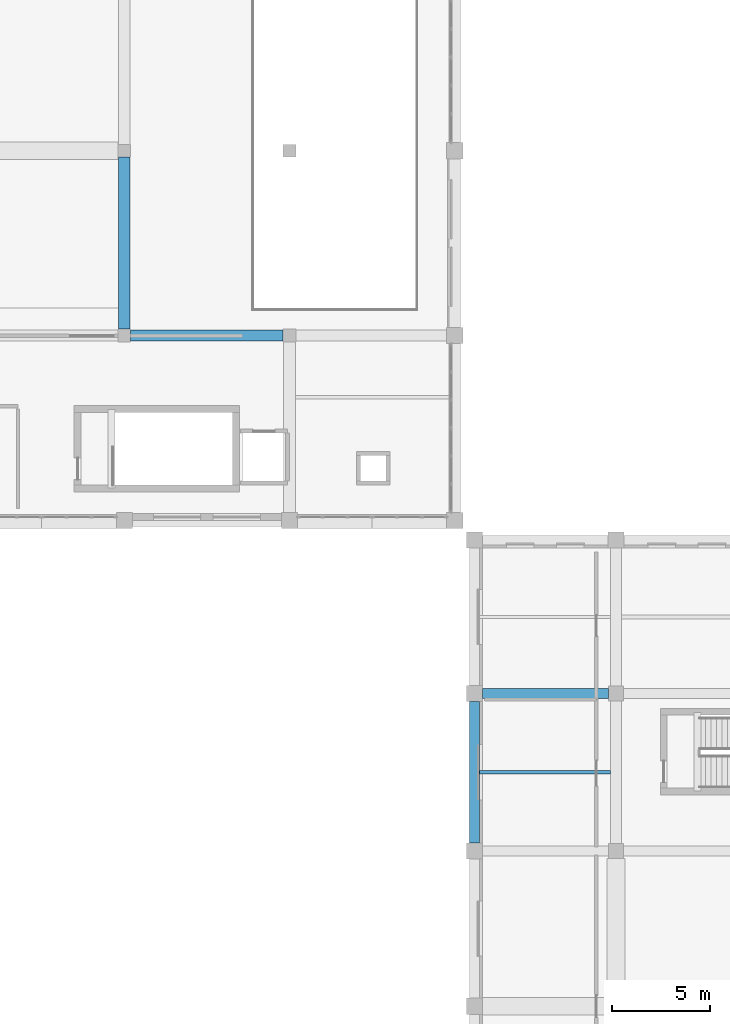
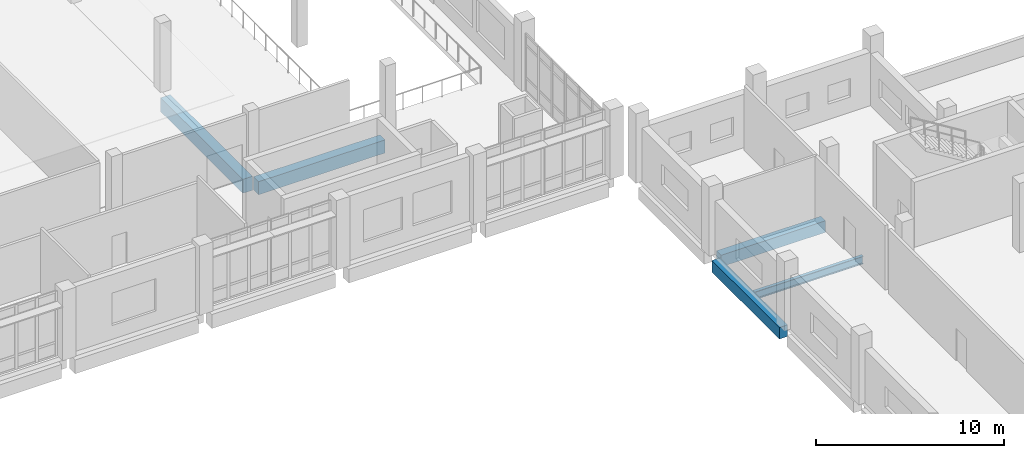
# One storey, part 13 of 54: 5 beams.
"""IFC4 building model written with IfcOpenShell, lengths in metres."""

from ifc_helpers import new_model, si_unit, direction, frame, origin, origin_2d, place, context, subcontext, project, spatial, rectangle, i_section, extrude, material, material_profile, profile_set, type_object, element, save


model = new_model("IFC4")

# Units and contexts
model_context = context("Model", 3, precision=1e-05, world=origin(), true_north=direction((0.0, 1.0)))
body_context = subcontext(model_context, "Body", "Model", "MODEL_VIEW")
ifc_project = project(units=[si_unit("LENGTHUNIT", "METRE"), si_unit("AREAUNIT", "SQUARE_METRE"), si_unit("VOLUMEUNIT", "CUBIC_METRE"), si_unit("PLANEANGLEUNIT", "RADIAN"), si_unit("MASSUNIT", "GRAM", prefix="KILO")], contexts=[model_context])

# Site, building, storey
site_placement = place(None, origin())
site = spatial("IfcSite", under=ifc_project, at=site_placement, CompositionType="ELEMENT")
building_placement = place(site_placement, origin())
building = spatial("IfcBuilding", under=site, at=building_placement, Name="Kelarvand Opera House", CompositionType="ELEMENT")
storey_placement = place(building_placement, frame((0.0, 0.0, 15.0)))
storey = spatial("IfcBuildingStorey", under=building, at=storey_placement, Name="L03", CompositionType="ELEMENT", Elevation=15.0)

# Beams
ifc_material_1 = material(Name="Concrete C40/50", Category="concrete")
ifc_material_profile_1 = material_profile(ifc_material_1, rectangle(XDim=0.5, YDim=0.75, at=origin_2d()), Name="RC 500x750", Category="concrete")
ifc_profile_set_1 = profile_set([ifc_material_profile_1], Name="Concrete C40/50")
beam_type_1 = type_object("IfcBeamType", Name="Structural Beam RC 500x750 BM-RC500x750", PredefinedType="BEAM", material=ifc_profile_set_1)
beam_1_placement = place(storey_placement, frame((52.409912109375, 78.39990234375, -0.695068359375), z_axis=(1.0, 0.0, 0.0), x_axis=(0.0, 1.0, 0.0)))
element("IfcBeam", 1, at=beam_1_placement, inside=storey, type_object=beam_type_1, Name="V2 L03 Beam BM-RC500x750", PredefinedType="BEAM", context=body_context, shape_type="SweptSolid", body=[
    extrude(rectangle(XDim=0.5, YDim=0.75, at=origin_2d()), origin(), (0.0, 0.0, 1.0), 6.4150390625),
])
ifc_material_profile_2 = material_profile(ifc_material_1, rectangle(XDim=0.550048828125, YDim=0.85009765625, at=origin_2d()), Name="RC 550x850", Category="concrete")
ifc_profile_set_2 = profile_set([ifc_material_profile_2], Name="Concrete C40/50")
beam_type_2 = type_object("IfcBeamType", Name="Structural Beam RC 550x850 BM-RC550x850", PredefinedType="BEAM", material=ifc_profile_set_2)
beam_2_placement = place(storey_placement, frame((34.52490234375, 96.60009765625, -0.72509765625), z_axis=(1.0, 0.0, 0.0), x_axis=(0.0, 1.0, 0.0)))
element("IfcBeam", 2, at=beam_2_placement, inside=storey, type_object=beam_type_2, Name="V3 L03 Beam BM-RC550x850", PredefinedType="BEAM", context=body_context, shape_type="SweptSolid", body=[
    extrude(rectangle(XDim=0.550048828125, YDim=0.85009765625, at=origin_2d()), origin(), (0.0, 0.0, 1.0), 7.75),
])
ifc_material_profile_3 = material_profile(ifc_material_1, rectangle(XDim=0.60009765625, YDim=0.89990234375, at=origin_2d()), Name="RC 600x900", Category="concrete")
ifc_profile_set_3 = profile_set([ifc_material_profile_3], Name="Concrete C40/50")
beam_type_3 = type_object("IfcBeamType", Name="Structural Beam RC 600x900 BM-RC600x900", PredefinedType="BEAM", material=ifc_profile_set_3)
beam_3_placement = place(storey_placement, frame((34.199951171875, 96.925048828125, -0.75), z_axis=(0.0, 1.0, 0.0), x_axis=(-1.0, 0.0, 0.0)))
element("IfcBeam", 3, at=beam_3_placement, inside=storey, type_object=beam_type_3, Name="V3 L03 Beam BM-RC600x900", PredefinedType="BEAM", context=body_context, shape_type="SweptSolid", body=[
    extrude(rectangle(XDim=0.60009765625, YDim=0.89990234375, at=origin_2d()), origin(), (0.0, 0.0, 1.0), 8.75),
])
ifc_material_2 = material(Name="Steel S355", Category="steel")
ifc_material_profile_4 = material_profile(ifc_material_2, i_section(OverallWidth=0.199951171875, OverallDepth=0.5, WebThickness=0.01025390625, FlangeThickness=0.01611328125, at=origin_2d()), Name="IPE 500", Category="steel")
ifc_profile_set_4 = profile_set([ifc_material_profile_4], Name="Steel S355")
beam_type_4 = type_object("IfcBeamType", Name="Structural Joist IPE 500 JS-IPE500", PredefinedType="JOIST", material=ifc_profile_set_4)
beam_4_placement = place(storey_placement, frame((52.25, 74.39990234375, -0.570068359375), z_axis=(1.0, 0.0, 0.0), x_axis=(0.0, 1.0, 0.0)))
element("IfcBeam", 4, at=beam_4_placement, inside=storey, type_object=beam_type_4, Name="V2 L03 Beam JS-IPE500", PredefinedType="JOIST", context=body_context, shape_type="SweptSolid", body=[
    extrude(i_section(OverallWidth=0.199951171875, OverallDepth=0.5, WebThickness=0.01025390625, FlangeThickness=0.01611328125, at=origin_2d()), origin(), (0.0, 0.0, 1.0), 6.675048828125),
])
ifc_material_profile_5 = material_profile(ifc_material_1, rectangle(XDim=0.5, YDim=0.75, at=origin_2d()), Name="RC 500x750", Category="concrete")
ifc_profile_set_5 = profile_set([ifc_material_profile_5], Name="Concrete C40/50")
beam_type_5 = type_object("IfcBeamType", Name="Structural Spandrel RC 500x750 SP-RC500x750E", PredefinedType="SPANDREL", material=ifc_profile_set_5)
beam_5_placement = place(storey_placement, frame((52.0, 70.81005859375, -0.695068359375), z_axis=(0.0, 1.0, 0.0), x_axis=(-1.0, 0.0, 0.0)))
element("IfcBeam", 5, at=beam_5_placement, inside=storey, type_object=beam_type_5, Name="V2 L03 Beam SP-RC500x750E", PredefinedType="SPANDREL", context=body_context, shape_type="SweptSolid", body=[
    extrude(rectangle(XDim=0.5, YDim=0.75, at=origin_2d()), origin(), (0.0, 0.0, 1.0), 7.179931640625),
])

save(model, "model.ifc")
